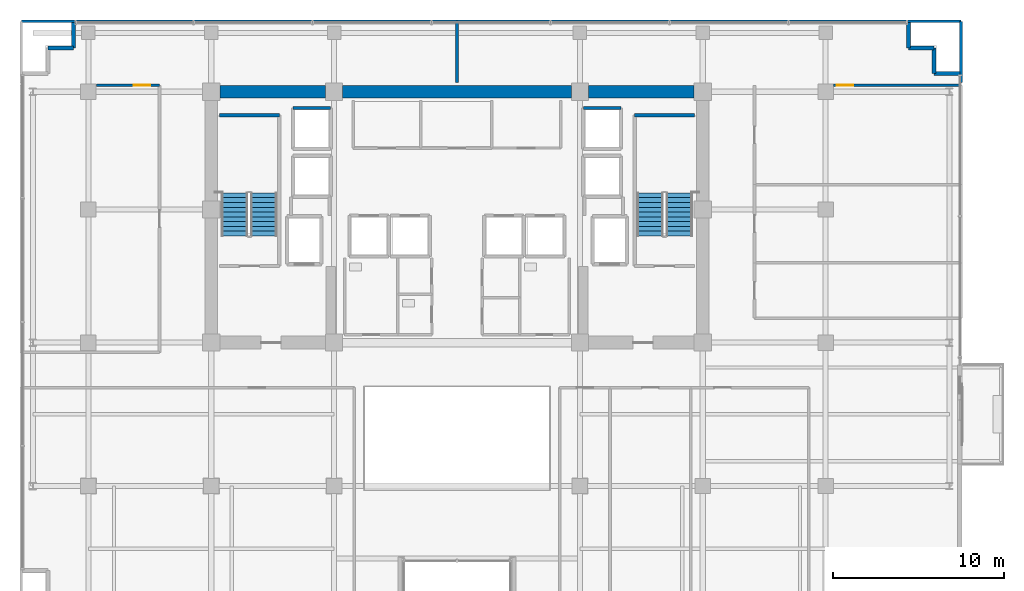
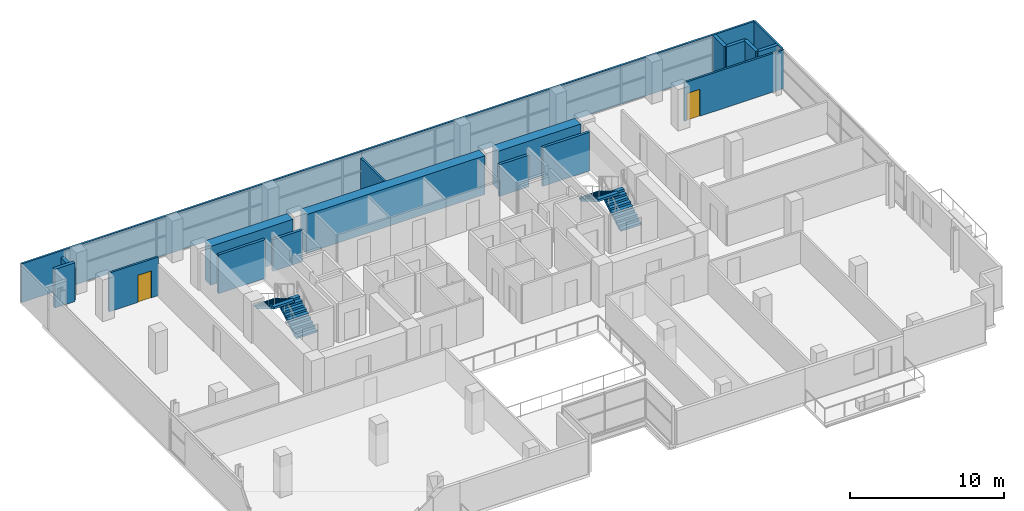
# One storey, part 20 of 24: 19 walls, 4 stair flights, 2 doors, 2 openings, 2 elements without a shape of their own.
"""IFC4 building model written with IfcOpenShell, lengths in metres."""

from ifc_helpers import new_model, si_unit, direction, frame, frame_2d, origin, place, context, subcontext, project, spatial, polyline, rectangle, outline, extrude, source, transform, mapped, material, layer, layer_set, type_object, element, fill, aggregate, save


model = new_model("IFC4")

# Units and contexts
model_context = context("Model", 3, precision=1e-05, world=origin(), true_north=direction((0.0, 1.0)))
body_context = subcontext(model_context, "Body", "Model", "MODEL_VIEW")
ifc_project = project(units=[si_unit("LENGTHUNIT", "METRE"), si_unit("AREAUNIT", "SQUARE_METRE"), si_unit("VOLUMEUNIT", "CUBIC_METRE"), si_unit("PLANEANGLEUNIT", "RADIAN"), si_unit("MASSUNIT", "GRAM", prefix="KILO")], contexts=[model_context])

# Site, building, storey
site_placement = place(None, origin())
site = spatial("IfcSite", under=ifc_project, at=site_placement, CompositionType="ELEMENT")
building_placement = place(site_placement, origin())
building = spatial("IfcBuilding", under=site, at=building_placement, Name="Zarnakvel Exchange Tower", CompositionType="ELEMENT")
storey_placement = place(building_placement, frame((0.0, 0.0, 133.0)))
storey = spatial("IfcBuildingStorey", under=building, at=storey_placement, Name="L37", CompositionType="ELEMENT", Elevation=133.0)

# Walls
ifc_material_1 = material(Name="Concrete C60/75", Category="concrete")
ifc_layer_1 = layer(ifc_material_1, 0.75)
ifc_layer_set_1 = layer_set([ifc_layer_1], Name="Concrete C60/75")
wall_type_1 = type_object("IfcWallType", Name="CW-C3", PredefinedType="SHEAR", material=ifc_layer_set_1)
wall_1_placement = place(storey_placement, frame((-13.89990234375, 13.5, 0.0), z_axis=(0.0, 0.0, 1.0), x_axis=(1.0, 0.0, 0.0)))
element("IfcWall", 1, at=wall_1_placement, inside=storey, type_object=wall_type_1, Name="L37 Rear Core Shear Wall N1 (CW-C3)", PredefinedType="SHEAR", context=body_context, shape_type="SweptSolid", body=[
    extrude(rectangle(XDim=6.199951171875, YDim=0.75, at=frame_2d((3.10009765625, 0.0))), origin(), (0.0, 0.0, 1.0), 3.074951171875),
])
wall_2_placement = place(storey_placement, frame((-6.699951171875, 13.5, 0.0), z_axis=(0.0, 0.0, 1.0), x_axis=(1.0, 0.0, 0.0)))
element("IfcWall", 2, at=wall_2_placement, inside=storey, type_object=wall_type_1, Name="L37 Rear Core Shear Wall N2 (CW-C3)", PredefinedType="SHEAR", context=body_context, shape_type="SweptSolid", body=[
    extrude(rectangle(XDim=13.39990234375, YDim=0.75, at=frame_2d((6.699951171875, 0.0))), origin(), (0.0, 0.0, 1.0), 3.074951171875),
])
wall_3_placement = place(storey_placement, frame((7.699951171875, 13.5, 0.0), z_axis=(0.0, 0.0, 1.0), x_axis=(1.0, 0.0, 0.0)))
element("IfcWall", 3, at=wall_3_placement, inside=storey, type_object=wall_type_1, Name="L37 Rear Core Shear Wall N3 (CW-C3)", PredefinedType="SHEAR", context=body_context, shape_type="SweptSolid", body=[
    extrude(rectangle(XDim=6.199951171875, YDim=0.75, at=frame_2d((3.10009765625, 0.0))), origin(), (0.0, 0.0, 1.0), 3.074951171875),
])
ifc_material_2 = material(Name="Precast concrete C40/50", Category="concrete")
ifc_layer_2 = layer(ifc_material_2, 0.239990234375)
ifc_layer_set_2 = layer_set([ifc_layer_2], Name="Precast concrete C40/50")
wall_type_2 = type_object("IfcWallType", Name="EW-02", PredefinedType="SOLIDWALL", material=ifc_layer_set_2)
wall_4_placement = place(storey_placement, frame((-22.4599609375, 16.06005859375, 0.0), z_axis=(0.0, 0.0, 1.0), x_axis=(-1.0, 0.0, 0.0)))
element("IfcWall", 4, at=wall_4_placement, inside=storey, type_object=wall_type_2, Name="L37 Exterior Precast Spandrel Wall EWC-L37-03 (EW-02)", PredefinedType="SOLIDWALL", context=body_context, shape_type="SweptSolid", body=[
    extrude(rectangle(XDim=1.5, YDim=0.239990234375, at=frame_2d((0.75, 0.0))), origin(), (0.0, 0.0, 1.0), 3.074951171875),
])
wall_5_placement = place(storey_placement, frame((-22.4599609375, 17.56005859375, 0.0), z_axis=(0.0, 0.0, 1.0), x_axis=(0.0, -1.0, 0.0)))
element("IfcWall", 5, at=wall_5_placement, inside=storey, type_object=wall_type_2, Name="L37 Exterior Precast Spandrel Wall EWC-L37-04 (EW-02)", PredefinedType="SOLIDWALL", context=body_context, shape_type="SweptSolid", body=[
    extrude(rectangle(XDim=1.5, YDim=0.239990234375, at=frame_2d((0.75, 0.0))), origin(), (0.0, 0.0, 1.0), 2.56494140625),
])
for number, where, z_axis, x_axis, name in (
    (6, (26.4599609375, 16.06005859375, 0.0), (0.0, 0.0, 1.0), (0.0, 1.0, 0.0), "L37 Exterior Precast Spandrel Wall EWC-L37-05 (EW-02)"),
    (7, (27.9599609375, 16.06005859375, 0.0), (0.0, 0.0, 1.0), (-1.0, 0.0, 0.0), "L37 Exterior Precast Spandrel Wall EWC-L37-06 (EW-02)"),
    (8, (27.9599609375, 14.56005859375, 0.0), (0.0, 0.0, 1.0), (0.0, 1.0, 0.0), "L37 Exterior Precast Spandrel Wall EWC-L37-07 (EW-02)"),
    (9, (29.4599609375, 14.56005859375, 0.0), (0.0, 0.0, 1.0), (-1.0, 0.0, 0.0), "L37 Exterior Precast Spandrel Wall EWC-L37-08 (EW-02)"),
):
    element("IfcWall", number, at=place(storey_placement, frame(where, z_axis=z_axis, x_axis=x_axis)), inside=storey, type_object=wall_type_2, Name=name, PredefinedType="SOLIDWALL", context=body_context, shape_type="SweptSolid", body=[
        extrude(rectangle(XDim=1.5, YDim=0.239990234375, at=frame_2d((0.75, 0.0))), origin(), (0.0, 0.0, 1.0), 3.074951171875),
    ])

# Wall, opening, door
ifc_material_3 = material(Name="Fire-Rated Gypsum Stud Partition", Category="gypsum")
ifc_layer_3 = layer(ifc_material_3, 0.14990234375)
ifc_layer_set_3 = layer_set([ifc_layer_3], Name="Fire-Rated Gypsum Stud Partition")
wall_type_3 = type_object("IfcWallType", Name="PT-01", PredefinedType="PARTITIONING", material=ifc_layer_set_3)
wall_6_placement = place(storey_placement, frame((-21.1298828125, 13.8798828125, 0.0), z_axis=(0.0, 0.0, 1.0), x_axis=(1.0, 0.0, 0.0)))
wall_6 = element("IfcWall", 10, at=wall_6_placement, inside=storey, type_object=wall_type_3, Name="L37 Partition Wall PWALL-L37-048 (PT-01)", PredefinedType="PARTITIONING", context=body_context, shape_type="SweptSolid", body=[
    extrude(rectangle(XDim=3.699951171875, YDim=0.14990234375, at=frame_2d((1.85009765625, 0.0))), origin(), (0.0, 0.0, 1.0), 3.074951171875),
])
opening_1_placement = place(wall_6_placement, frame((2.18994140625, 0.0, 0.0)))
opening_1 = element("IfcOpeningElement", 11, at=opening_1_placement, cuts=wall_6, Name="Opening D-L37-22", PredefinedType="OPENING", context=body_context, shape_type="SweptSolid", body=[
    extrude(rectangle(XDim=0.97998046875, YDim=2.14990234375, at=frame_2d((0.489990234375, 1.074951171875))), frame((0.0, 0.0849609375, 0.0), z_axis=(0.0, -1.0, 0.0), x_axis=(1.0, 0.0, 0.0)), (0.0, 0.0, 1.0), 0.169921875),
])
ifc_material_4 = material(Name="Timber Acoustic Veneer", Category="wood")
door_type = type_object("IfcDoorType", Name="DT-05", OperationType="NOTDEFINED", PredefinedType="DOOR", material=ifc_material_4)
shared_shape = source(origin(), body_context, "Body", "SweptSolid", [
    extrude(rectangle(XDim=0.97998046875, YDim=2.14990234375, at=frame_2d((0.489990234375, 1.074951171875))), frame((0.0, 0.02490234375, 0.0), z_axis=(0.0, -1.0, 0.0), x_axis=(1.0, 0.0, 0.0)), (0.0, 0.0, 1.0), 0.050048828125),
])
door_1_placement = place(opening_1_placement, origin())
door_1 = element("IfcDoor", 12, at=door_1_placement, inside=storey, type_object=door_type, Name="L37 Legal Records Office Door D-L37-22", OperationType="SINGLE_SWING_RIGHT", OverallHeight=2.14990234375, OverallWidth=0.97998046875, PredefinedType="DOOR", context=body_context, shape_type="MappedRepresentation", body=[
    mapped(shared_shape, transform((0.0, 0.0, 0.0), x_axis=(1.0, 0.0, 0.0), y_axis=(0.0, 1.0, 0.0), z_axis=(0.0, 0.0, 1.0), scale=1.0)),
])
fill(opening_1, door_1)

wall_7_placement = place(storey_placement, frame((22.070068359375, 13.8798828125, 0.0), z_axis=(0.0, 0.0, 1.0), x_axis=(1.0, 0.0, 0.0)))
wall_7 = element("IfcWall", 13, at=wall_7_placement, inside=storey, type_object=wall_type_3, Name="L37 Partition Wall PWALL-L37-058 (PT-01)", PredefinedType="PARTITIONING", context=body_context, shape_type="SweptSolid", body=[
    extrude(rectangle(XDim=7.4599609375, YDim=0.14990234375, at=frame_2d((3.72998046875, 0.0))), origin(), (0.0, 0.0, 1.0), 3.074951171875),
])
opening_2_placement = place(wall_7_placement, frame((0.179931640625, 0.0, 0.0)))
opening_2 = element("IfcOpeningElement", 14, at=opening_2_placement, cuts=wall_7, Name="Opening D-L37-23", PredefinedType="OPENING", context=body_context, shape_type="SweptSolid", body=[
    extrude(rectangle(XDim=0.97998046875, YDim=2.14990234375, at=frame_2d((0.489990234375, 1.074951171875))), frame((0.0, 0.0849609375, 0.0), z_axis=(0.0, -1.0, 0.0), x_axis=(1.0, 0.0, 0.0)), (0.0, 0.0, 1.0), 0.169921875),
])
door_2_placement = place(opening_2_placement, origin())
door_2 = element("IfcDoor", 15, at=door_2_placement, inside=storey, type_object=door_type, Name="L37 Client Advisory Suite Door D-L37-23", OperationType="SINGLE_SWING_LEFT", OverallHeight=2.14990234375, OverallWidth=0.97998046875, PredefinedType="DOOR", context=body_context, shape_type="MappedRepresentation", body=[
    mapped(shared_shape, transform((0.0, 0.0, 0.0), x_axis=(1.0, 0.0, 0.0), y_axis=(0.0, 1.0, 0.0), z_axis=(0.0, 0.0, 1.0), scale=1.0)),
])
fill(opening_2, door_2)

# Walls
wall_8_placement = place(storey_placement, frame((-25.530029296875, 17.6298828125, 0.0), z_axis=(0.0, 0.0, 1.0), x_axis=(1.0, 0.0, 0.0)))
element("IfcWall", 16, at=wall_8_placement, inside=storey, type_object=wall_type_3, Name="L37 Partition Wall PWALL-L37-061 (PT-01)", PredefinedType="PARTITIONING", context=body_context, shape_type="SweptSolid", body=[
    extrude(rectangle(XDim=25.530029296875, YDim=0.14990234375, at=frame_2d((12.76513671875, 0.0))), origin(), (0.0, 0.0, 1.0), 3.074951171875),
])
wall_9_placement = place(storey_placement, frame((0.0, 17.6298828125, 0.0), z_axis=(0.0, 0.0, 1.0), x_axis=(0.0, -1.0, 0.0)))
element("IfcWall", 17, at=wall_9_placement, inside=storey, type_object=wall_type_3, Name="L37 Partition Wall PWALL-L37-063 (PT-01)", PredefinedType="PARTITIONING", context=body_context, shape_type="SweptSolid", body=[
    extrude(rectangle(XDim=3.599853515625, YDim=0.14990234375, at=frame_2d((1.7998046875, 0.0))), origin(), (0.0, 0.0, 1.0), 2.56494140625),
])
wall_10_placement = place(storey_placement, frame((0.0, 17.6298828125, 0.0), z_axis=(0.0, 0.0, 1.0), x_axis=(1.0, 0.0, 0.0)))
element("IfcWall", 18, at=wall_10_placement, inside=storey, type_object=wall_type_3, Name="L37 Partition Wall PWALL-L37-064 (PT-01)", PredefinedType="PARTITIONING", context=body_context, shape_type="SweptSolid", body=[
    extrude(rectangle(XDim=29.530029296875, YDim=0.14990234375, at=frame_2d((14.76513671875, 0.0))), origin(), (0.0, 0.0, 1.0), 3.074951171875),
])
wall_11_placement = place(storey_placement, frame((29.530029296875, 17.6298828125, 0.0), z_axis=(0.0, 0.0, 1.0), x_axis=(0.0, -1.0, 0.0)))
element("IfcWall", 19, at=wall_11_placement, inside=storey, type_object=wall_type_3, Name="L37 Partition Wall PWALL-L37-065 (PT-01)", PredefinedType="PARTITIONING", context=body_context, shape_type="SweptSolid", body=[
    extrude(rectangle(XDim=3.599853515625, YDim=0.14990234375, at=frame_2d((1.7998046875, 0.0))), origin(), (0.0, 0.0, 1.0), 3.074951171875),
])
ifc_material_5 = material(Name="Concrete C40/50", Category="concrete")
ifc_layer_4 = layer(ifc_material_5, 0.199951171875)
ifc_layer_set_4 = layer_set([ifc_layer_4], Name="Concrete C40/50")
wall_type_4 = type_object("IfcWallType", Name="SW-01", PredefinedType="SOLIDWALL", material=ifc_layer_set_4)
for number, where, z_axis, x_axis, name in (
    (20, (-9.60009765625, 12.550048828125, 0.0), (0.0, 0.0, 1.0), (1.0, 0.0, 0.0), "L37 PL-10 Hoistway Wall North"),
    (21, (7.39990234375, 12.550048828125, 0.0), (0.0, 0.0, 1.0), (1.0, 0.0, 0.0), "L37 PL-12 Hoistway Wall North"),
):
    element("IfcWall", number, at=place(storey_placement, frame(where, z_axis=z_axis, x_axis=x_axis)), inside=storey, type_object=wall_type_4, Name=name, PredefinedType="SOLIDWALL", context=body_context, shape_type="SweptSolid", body=[
        extrude(rectangle(XDim=2.2001953125, YDim=0.199951171875, at=frame_2d((1.10009765625, 0.0))), origin(), (0.0, 0.0, 1.0), 2.514892578125),
    ])
ifc_layer_5 = layer(ifc_material_5, 0.199951171875)
ifc_layer_set_5 = layer_set([ifc_layer_5], Name="Concrete C40/50")
wall_type_5 = type_object("IfcWallType", Name="SW-02", PredefinedType="SOLIDWALL", material=ifc_layer_set_5)
for number, where, z_axis, x_axis, name in (
    (22, (-13.929931640625, 12.1298828125, 0.0), (0.0, 0.0, 1.0), (1.0, 0.0, 0.0), "L37 Stairwell Core Wall PWALL-L37-002 (SW-02)"),
    (23, (10.409912109375, 12.1298828125, 0.0), (0.0, 0.0, 1.0), (1.0, 0.0, 0.0), "L37 Stairwell Core Wall PWALL-L37-005 (SW-02)"),
):
    element("IfcWall", number, at=place(storey_placement, frame(where, z_axis=z_axis, x_axis=x_axis)), inside=storey, type_object=wall_type_5, Name=name, PredefinedType="SOLIDWALL", context=body_context, shape_type="SweptSolid", body=[
        extrude(rectangle(XDim=3.52001953125, YDim=0.199951171875, at=frame_2d((1.760009765625, 0.0))), origin(), (0.0, 0.0, 1.0), 3.074951171875),
    ])

# Stair, stair flights
stair_type = type_object("IfcStairType", Name="STR-01", PredefinedType="HALF_TURN_STAIR", material=ifc_material_5)
stair_1_placement = place(storey_placement, origin())
stair_1 = element("IfcStair", 24, at=stair_1_placement, inside=storey, type_object=stair_type, Name="L37 Protected Core Exit Stair ST-01", PredefinedType="HALF_TURN_STAIR")
stair_flight_type = type_object("IfcStairFlightType", Name="FLT-01", PredefinedType="STRAIGHT", material=ifc_material_5)
stair_flight_1_placement = place(storey_placement, frame((-11.31494140625, 5.050048828125, 0.0), z_axis=(0.0, 0.0, 1.0), x_axis=(0.0, 1.0, 0.0)))
stair_flight_1 = element("IfcStairFlight", 25, at=stair_flight_1_placement, type_object=stair_flight_type, Name="ST-01 flight 1", NumberOfRisers=10, NumberOfTreads=9, PredefinedType="STRAIGHT", RiserHeight=0.165, TreadLength=0.28, context=body_context, shape_type="SweptSolid", body=[
    extrude(outline(polyline([(0.0, 0.0), (0.0, 0.1650390625), (0.280029296875, 0.1650390625), (0.280029296875, 0.330078125), (0.56005859375, 0.330078125), (0.56005859375, 0.4951171875), (0.840087890625, 0.4951171875), (0.840087890625, 0.659912109375), (1.1201171875, 0.659912109375), (1.1201171875, 0.824951171875), (1.39990234375, 0.824951171875), (1.39990234375, 0.989990234375), (1.679931640625, 0.989990234375), (1.679931640625, 1.155029296875), (1.9599609375, 1.155029296875), (1.9599609375, 1.320068359375), (2.239990234375, 1.320068359375), (2.239990234375, 1.485107421875), (2.52001953125, 1.485107421875), (2.52001953125, 1.64990234375), (2.52001953125, 1.31103515625), (0.295166015625, 0.0), (0.0, 0.0)])), frame((0.0, 0.77490234375, 0.0), z_axis=(0.0, -1.0, 0.0), x_axis=(1.0, 0.0, 0.0)), (0.0, 0.0, 1.0), 1.550048828125),
])
stair_flight_2_placement = place(storey_placement, frame((-13.02490234375, 7.570068359375, 1.64990234375), z_axis=(0.0, 0.0, 1.0), x_axis=(0.0, -1.0, 0.0)))
stair_flight_2 = element("IfcStairFlight", 26, at=stair_flight_2_placement, type_object=stair_flight_type, Name="ST-01 flight 2", NumberOfRisers=10, NumberOfTreads=9, PredefinedType="STRAIGHT", RiserHeight=0.165, TreadLength=0.28, context=body_context, shape_type="SweptSolid", body=[
    extrude(outline(polyline([(0.0, 0.0), (0.0, 0.1650390625), (0.280029296875, 0.1650390625), (0.280029296875, 0.330078125), (0.56005859375, 0.330078125), (0.56005859375, 0.4951171875), (0.840087890625, 0.4951171875), (0.840087890625, 0.659912109375), (1.1201171875, 0.659912109375), (1.1201171875, 0.824951171875), (1.39990234375, 0.824951171875), (1.39990234375, 0.989990234375), (1.679931640625, 0.989990234375), (1.679931640625, 1.155029296875), (1.9599609375, 1.155029296875), (1.9599609375, 1.320068359375), (2.239990234375, 1.320068359375), (2.239990234375, 1.485107421875), (2.52001953125, 1.485107421875), (2.52001953125, 1.64990234375), (2.52001953125, 1.31103515625), (0.295166015625, 0.0), (0.0, 0.0)])), frame((0.0, 0.77490234375, 0.0), z_axis=(0.0, -1.0, 0.0), x_axis=(1.0, 0.0, 0.0)), (0.0, 0.0, 1.0), 1.550048828125),
])
aggregate(stair_1, [stair_flight_1, stair_flight_2])

stair_2_placement = place(storey_placement, origin())
stair_2 = element("IfcStair", 27, at=stair_2_placement, inside=storey, type_object=stair_type, Name="L37 Protected Core Exit Stair ST-02", PredefinedType="HALF_TURN_STAIR")
stair_flight_3_placement = place(storey_placement, frame((13.02490234375, 5.050048828125, 0.0), z_axis=(0.0, 0.0, 1.0), x_axis=(0.0, 1.0, 0.0)))
stair_flight_3 = element("IfcStairFlight", 28, at=stair_flight_3_placement, type_object=stair_flight_type, Name="ST-02 flight 1", NumberOfRisers=10, NumberOfTreads=9, PredefinedType="STRAIGHT", RiserHeight=0.165, TreadLength=0.28, context=body_context, shape_type="SweptSolid", body=[
    extrude(outline(polyline([(0.0, 0.0), (0.0, 0.1650390625), (0.280029296875, 0.1650390625), (0.280029296875, 0.330078125), (0.56005859375, 0.330078125), (0.56005859375, 0.4951171875), (0.840087890625, 0.4951171875), (0.840087890625, 0.659912109375), (1.1201171875, 0.659912109375), (1.1201171875, 0.824951171875), (1.39990234375, 0.824951171875), (1.39990234375, 0.989990234375), (1.679931640625, 0.989990234375), (1.679931640625, 1.155029296875), (1.9599609375, 1.155029296875), (1.9599609375, 1.320068359375), (2.239990234375, 1.320068359375), (2.239990234375, 1.485107421875), (2.52001953125, 1.485107421875), (2.52001953125, 1.64990234375), (2.52001953125, 1.31103515625), (0.295166015625, 0.0), (0.0, 0.0)])), frame((0.0, 0.77490234375, 0.0), z_axis=(0.0, -1.0, 0.0), x_axis=(1.0, 0.0, 0.0)), (0.0, 0.0, 1.0), 1.550048828125),
])
stair_flight_4_placement = place(storey_placement, frame((11.31494140625, 7.570068359375, 1.64990234375), z_axis=(0.0, 0.0, 1.0), x_axis=(0.0, -1.0, 0.0)))
stair_flight_4 = element("IfcStairFlight", 29, at=stair_flight_4_placement, type_object=stair_flight_type, Name="ST-02 flight 2", NumberOfRisers=10, NumberOfTreads=9, PredefinedType="STRAIGHT", RiserHeight=0.165, TreadLength=0.28, context=body_context, shape_type="SweptSolid", body=[
    extrude(outline(polyline([(0.0, 0.0), (0.0, 0.1650390625), (0.280029296875, 0.1650390625), (0.280029296875, 0.330078125), (0.56005859375, 0.330078125), (0.56005859375, 0.4951171875), (0.840087890625, 0.4951171875), (0.840087890625, 0.659912109375), (1.1201171875, 0.659912109375), (1.1201171875, 0.824951171875), (1.39990234375, 0.824951171875), (1.39990234375, 0.989990234375), (1.679931640625, 0.989990234375), (1.679931640625, 1.155029296875), (1.9599609375, 1.155029296875), (1.9599609375, 1.320068359375), (2.239990234375, 1.320068359375), (2.239990234375, 1.485107421875), (2.52001953125, 1.485107421875), (2.52001953125, 1.64990234375), (2.52001953125, 1.31103515625), (0.295166015625, 0.0), (0.0, 0.0)])), frame((0.0, 0.77490234375, 0.0), z_axis=(0.0, -1.0, 0.0), x_axis=(1.0, 0.0, 0.0)), (0.0, 0.0, 1.0), 1.550048828125),
])
aggregate(stair_2, [stair_flight_3, stair_flight_4])

save(model, "model.ifc")
